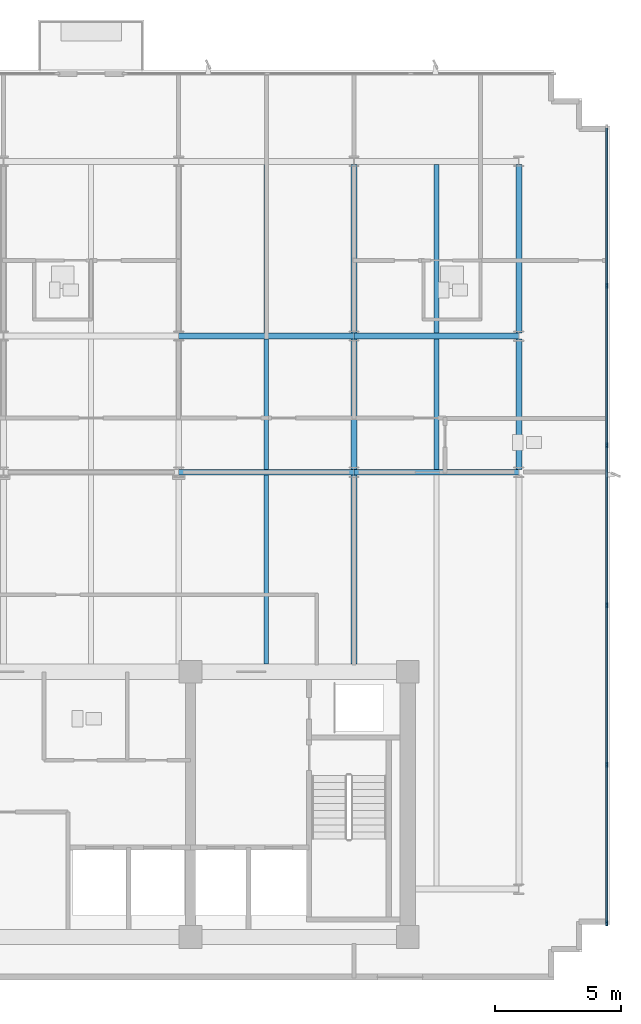
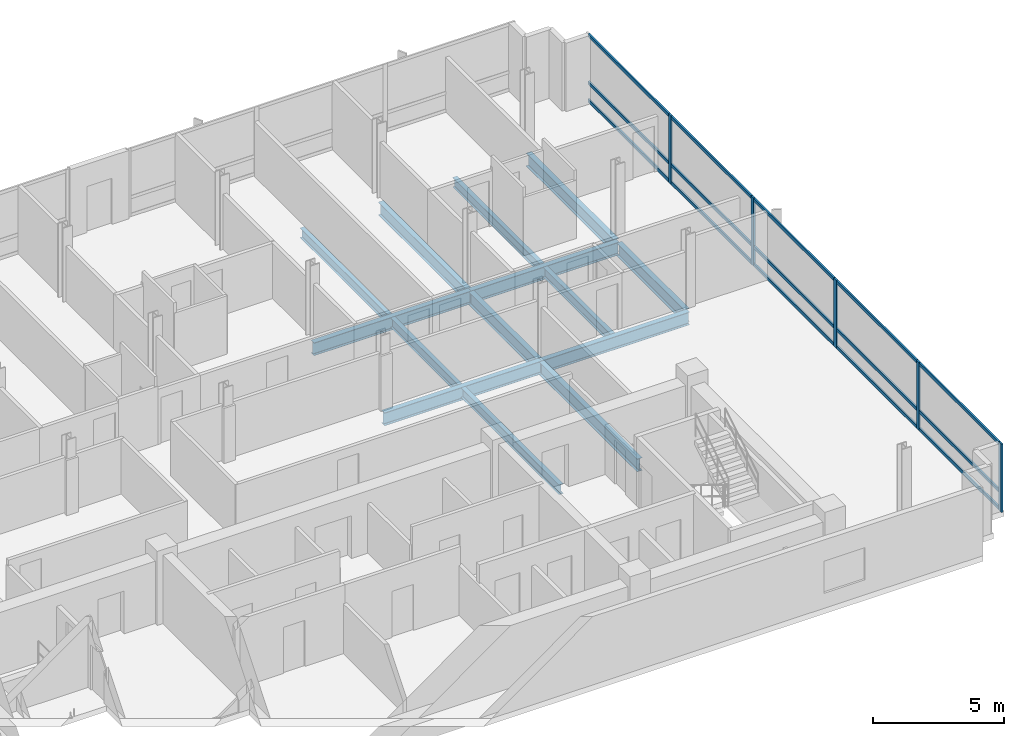
# One storey, part 4 of 15: 20 members, 14 beams, 1 element without a shape of its own.
"""IFC4 building model written with IfcOpenShell, lengths in metres."""

from ifc_helpers import new_model, si_unit, direction, frame, origin, origin_2d, place, context, subcontext, project, spatial, rectangle, i_section, extrude, material, material_profile, profile_set, type_object, element, aggregate, save


model = new_model("IFC4")

# Units and contexts
model_context = context("Model", 3, precision=1e-05, world=origin(), true_north=direction((0.0, 1.0)))
body_context = subcontext(model_context, "Body", "Model", "MODEL_VIEW")
ifc_project = project(units=[si_unit("LENGTHUNIT", "METRE"), si_unit("AREAUNIT", "SQUARE_METRE"), si_unit("VOLUMEUNIT", "CUBIC_METRE"), si_unit("PLANEANGLEUNIT", "RADIAN"), si_unit("MASSUNIT", "GRAM", prefix="KILO")], contexts=[model_context])

# Site, building, storey
site_placement = place(None, origin())
site = spatial("IfcSite", under=ifc_project, at=site_placement, CompositionType="ELEMENT")
building_placement = place(site_placement, origin())
building = spatial("IfcBuilding", under=site, at=building_placement, Name="Solmavex Isthmus Hotel", CompositionType="ELEMENT")
storey_placement = place(building_placement, frame((0.0, 0.0, 259.199951171875)))
storey = spatial("IfcBuildingStorey", under=building, at=storey_placement, Name="L70", CompositionType="ELEMENT", Elevation=259.199951171875)

# Beams
ifc_material_1 = material(Name="Steel ASTM A992 Grade 50", Category="steel")
ifc_material_profile_1 = material_profile(ifc_material_1, i_section(OverallWidth=0.1904296875, OverallDepth=0.456787109375, WebThickness=0.009033203125, FlangeThickness=0.014404296875, FilletRadius=0.0126953125, at=origin_2d()), Name="W18X50")
ifc_profile_set_1 = profile_set([ifc_material_profile_1], Name="Steel ASTM A992 Grade 50")
beam_type_1 = type_object("IfcBeamType", Name="BM-BJ-W18X50", PredefinedType="JOIST", material=ifc_profile_set_1)
beam_1_placement = place(storey_placement, frame((10.404052734375, -2.199951171875, -0.48828125), z_axis=(0.0, 1.0, 0.0), x_axis=(-1.0, 0.0, 0.0)))
element("IfcBeam", 1, at=beam_1_placement, inside=storey, type_object=beam_type_1, Name="Secondary Floor Joist L70-J13", PredefinedType="JOIST", context=body_context, shape_type="SweptSolid", body=[
    extrude(i_section(OverallWidth=0.1904296875, OverallDepth=0.456787109375, WebThickness=0.009033203125, FlangeThickness=0.014404296875, FilletRadius=0.0126953125, at=origin_2d()), origin(), (0.0, 0.0, 1.0), 7.486083984375),
])
beam_2_placement = place(storey_placement, frame((10.404052734375, 5.513916015625, -0.48828125), z_axis=(0.0, 1.0, 0.0), x_axis=(-1.0, 0.0, 0.0)))
element("IfcBeam", 2, at=beam_2_placement, inside=storey, type_object=beam_type_1, Name="Secondary Floor Joist L70-J14", PredefinedType="JOIST", context=body_context, shape_type="SweptSolid", body=[
    extrude(i_section(OverallWidth=0.1904296875, OverallDepth=0.456787109375, WebThickness=0.009033203125, FlangeThickness=0.014404296875, FilletRadius=0.0126953125, at=origin_2d()), origin(), (0.0, 0.0, 1.0), 5.16015625),
])
beam_3_placement = place(storey_placement, frame((10.404052734375, 10.90185546875, -0.48828125), z_axis=(0.0, 1.0, 0.0), x_axis=(-1.0, 0.0, 0.0)))
element("IfcBeam", 3, at=beam_3_placement, inside=storey, type_object=beam_type_1, Name="Secondary Floor Joist L70-J15", PredefinedType="JOIST", context=body_context, shape_type="SweptSolid", body=[
    extrude(i_section(OverallWidth=0.1904296875, OverallDepth=0.456787109375, WebThickness=0.009033203125, FlangeThickness=0.014404296875, FilletRadius=0.0126953125, at=origin_2d()), origin(), (0.0, 0.0, 1.0), 6.682861328125),
])
beam_4_placement = place(storey_placement, frame((17.135986328125, 5.513916015625, -0.48828125), z_axis=(0.0, 1.0, 0.0), x_axis=(-1.0, 0.0, 0.0)))
element("IfcBeam", 4, at=beam_4_placement, inside=storey, type_object=beam_type_1, Name="Secondary Floor Joist L70-J17", PredefinedType="JOIST", context=body_context, shape_type="SweptSolid", body=[
    extrude(i_section(OverallWidth=0.1904296875, OverallDepth=0.456787109375, WebThickness=0.009033203125, FlangeThickness=0.014404296875, FilletRadius=0.0126953125, at=origin_2d()), origin(), (0.0, 0.0, 1.0), 5.16015625),
])
beam_5_placement = place(storey_placement, frame((17.135986328125, 10.90185546875, -0.48828125), z_axis=(0.0, 1.0, 0.0), x_axis=(-1.0, 0.0, 0.0)))
element("IfcBeam", 5, at=beam_5_placement, inside=storey, type_object=beam_type_1, Name="Secondary Floor Joist L70-J18", PredefinedType="JOIST", context=body_context, shape_type="SweptSolid", body=[
    extrude(i_section(OverallWidth=0.1904296875, OverallDepth=0.456787109375, WebThickness=0.009033203125, FlangeThickness=0.014404296875, FilletRadius=0.0126953125, at=origin_2d()), origin(), (0.0, 0.0, 1.0), 6.682861328125),
])
ifc_material_profile_2 = material_profile(ifc_material_1, i_section(OverallWidth=0.227783203125, OverallDepth=0.602783203125, WebThickness=0.010498046875, FlangeThickness=0.014892578125, FilletRadius=0.01513671875, at=origin_2d()), Name="W24X68")
ifc_profile_set_2 = profile_set([ifc_material_profile_2], Name="Steel ASTM A992 Grade 50")
beam_type_2 = type_object("IfcBeamType", Name="BM-BM-W24X68", PredefinedType="BEAM", material=ifc_profile_set_2)
beam_6_placement = place(storey_placement, frame((6.93603515625, 5.39990234375, -0.561279296875), z_axis=(1.0, 0.0, 0.0), x_axis=(0.0, 1.0, 0.0)))
element("IfcBeam", 6, at=beam_6_placement, inside=storey, type_object=beam_type_2, Name="Floor Girder L70-UG07", PredefinedType="BEAM", context=body_context, shape_type="SweptSolid", body=[
    extrude(i_section(OverallWidth=0.227783203125, OverallDepth=0.602783203125, WebThickness=0.010498046875, FlangeThickness=0.014892578125, FilletRadius=0.01513671875, at=origin_2d()), origin(), (0.0, 0.0, 1.0), 6.93603515625),
])
beam_7_placement = place(storey_placement, frame((13.8720703125, 5.39990234375, -0.561279296875), z_axis=(1.0, 0.0, 0.0), x_axis=(0.0, 1.0, 0.0)))
element("IfcBeam", 7, at=beam_7_placement, inside=storey, type_object=beam_type_2, Name="Floor Girder L70-UG08", PredefinedType="BEAM", context=body_context, shape_type="SweptSolid", body=[
    extrude(i_section(OverallWidth=0.227783203125, OverallDepth=0.602783203125, WebThickness=0.010498046875, FlangeThickness=0.014892578125, FilletRadius=0.01513671875, at=origin_2d()), origin(), (0.0, 0.0, 1.0), 6.52783203125),
])
beam_8_placement = place(storey_placement, frame((6.93603515625, 10.7880859375, -0.561279296875), z_axis=(1.0, 0.0, 0.0), x_axis=(0.0, 1.0, 0.0)))
element("IfcBeam", 8, at=beam_8_placement, inside=storey, type_object=beam_type_2, Name="Floor Girder L70-UG13", PredefinedType="BEAM", context=body_context, shape_type="SweptSolid", body=[
    extrude(i_section(OverallWidth=0.227783203125, OverallDepth=0.602783203125, WebThickness=0.010498046875, FlangeThickness=0.014892578125, FilletRadius=0.01513671875, at=origin_2d()), origin(), (0.0, 0.0, 1.0), 6.93603515625),
])
beam_9_placement = place(storey_placement, frame((13.8720703125, 10.7880859375, -0.561279296875), z_axis=(1.0, 0.0, 0.0), x_axis=(0.0, 1.0, 0.0)))
element("IfcBeam", 9, at=beam_9_placement, inside=storey, type_object=beam_type_2, Name="Floor Girder L70-UG14", PredefinedType="BEAM", context=body_context, shape_type="SweptSolid", body=[
    extrude(i_section(OverallWidth=0.227783203125, OverallDepth=0.602783203125, WebThickness=0.010498046875, FlangeThickness=0.014892578125, FilletRadius=0.01513671875, at=origin_2d()), origin(), (0.0, 0.0, 1.0), 6.52783203125),
])
beam_10_placement = place(storey_placement, frame((13.8720703125, -2.199951171875, -0.561279296875), z_axis=(0.0, 1.0, 0.0), x_axis=(-1.0, 0.0, 0.0)))
element("IfcBeam", 10, at=beam_10_placement, inside=storey, type_object=beam_type_2, Name="Floor Beam L70-VG36", PredefinedType="BEAM", context=body_context, shape_type="SweptSolid", body=[
    extrude(i_section(OverallWidth=0.227783203125, OverallDepth=0.602783203125, WebThickness=0.010498046875, FlangeThickness=0.014892578125, FilletRadius=0.01513671875, at=origin_2d()), origin(), (0.0, 0.0, 1.0), 7.486083984375),
])
beam_11_placement = place(storey_placement, frame((13.8720703125, 5.513916015625, -0.561279296875), z_axis=(0.0, 1.0, 0.0), x_axis=(-1.0, 0.0, 0.0)))
element("IfcBeam", 11, at=beam_11_placement, inside=storey, type_object=beam_type_2, Name="Floor Beam L70-VG37", PredefinedType="BEAM", context=body_context, shape_type="SweptSolid", body=[
    extrude(i_section(OverallWidth=0.227783203125, OverallDepth=0.602783203125, WebThickness=0.010498046875, FlangeThickness=0.014892578125, FilletRadius=0.01513671875, at=origin_2d()), origin(), (0.0, 0.0, 1.0), 5.16015625),
])
beam_12_placement = place(storey_placement, frame((13.8720703125, 10.90185546875, -0.561279296875), z_axis=(0.0, 1.0, 0.0), x_axis=(-1.0, 0.0, 0.0)))
element("IfcBeam", 12, at=beam_12_placement, inside=storey, type_object=beam_type_2, Name="Floor Beam L70-VG38", PredefinedType="BEAM", context=body_context, shape_type="SweptSolid", body=[
    extrude(i_section(OverallWidth=0.227783203125, OverallDepth=0.602783203125, WebThickness=0.010498046875, FlangeThickness=0.014892578125, FilletRadius=0.01513671875, at=origin_2d()), origin(), (0.0, 0.0, 1.0), 6.682861328125),
])
ifc_material_profile_3 = material_profile(ifc_material_1, i_section(OverallWidth=0.230224609375, OverallDepth=0.617431640625, WebThickness=0.01318359375, FlangeThickness=0.022216796875, FilletRadius=0.01513671875, at=origin_2d()), Name="W24X94")
ifc_profile_set_3 = profile_set([ifc_material_profile_3], Name="Steel ASTM A992 Grade 50")
beam_type_3 = type_object("IfcBeamType", Name="BM-SP-W24X94", PredefinedType="SPANDREL", material=ifc_profile_set_3)
beam_13_placement = place(storey_placement, frame((20.39990234375, 5.513916015625, -0.568603515625), z_axis=(0.0, 1.0, 0.0), x_axis=(-1.0, 0.0, 0.0)))
element("IfcBeam", 13, at=beam_13_placement, inside=storey, type_object=beam_type_3, Name="Floor Beam L70-VG40", PredefinedType="SPANDREL", context=body_context, shape_type="SweptSolid", body=[
    extrude(i_section(OverallWidth=0.230224609375, OverallDepth=0.617431640625, WebThickness=0.01318359375, FlangeThickness=0.022216796875, FilletRadius=0.01513671875, at=origin_2d()), origin(), (0.0, 0.0, 1.0), 5.16015625),
])
beam_14_placement = place(storey_placement, frame((20.39990234375, 10.90185546875, -0.568603515625), z_axis=(0.0, 1.0, 0.0), x_axis=(-1.0, 0.0, 0.0)))
element("IfcBeam", 14, at=beam_14_placement, inside=storey, type_object=beam_type_3, Name="Floor Beam L70-VG41", PredefinedType="SPANDREL", context=body_context, shape_type="SweptSolid", body=[
    extrude(i_section(OverallWidth=0.230224609375, OverallDepth=0.617431640625, WebThickness=0.01318359375, FlangeThickness=0.022216796875, FilletRadius=0.01513671875, at=origin_2d()), origin(), (0.0, 0.0, 1.0), 6.682861328125),
])

# Curtain wall, members
ifc_material_2 = material(Name="Aluminium alloy 6063-T6", Category="aluminium")
curtain_wall_type = type_object("IfcCurtainWallType", Name="CW-SYS-04", PredefinedType="NOTDEFINED", material=ifc_material_2)
curtain_wall_placement = place(storey_placement, origin())
curtain_wall = element("IfcCurtainWall", 15, at=curtain_wall_placement, inside=storey, type_object=curtain_wall_type, Name="Stick Curtain Wall CWL-L70-E1", PredefinedType="NOTDEFINED")
ifc_material_profile_4 = material_profile(ifc_material_2, rectangle(XDim=0.074951171875, YDim=0.199951171875, at=origin_2d()), Name="CWM-75X200")
ifc_profile_set_4 = profile_set([ifc_material_profile_4], Name="Aluminium alloy 6063-T6")
member_type_1 = type_object("IfcMemberType", Name="CW-SYS-04-MUL", PredefinedType="MULLION", material=ifc_profile_set_4)
member_1_placement = place(storey_placement, frame((23.8798828125, -12.46240234375, 0.0), z_axis=(0.0, 0.0, 1.0), x_axis=(-1.0, 0.0, 0.0)))
member_1 = element("IfcMember", 16, at=member_1_placement, type_object=member_type_1, Name="CW-04 mullion 1", PredefinedType="MULLION", context=body_context, shape_type="SweptSolid", body=[
    extrude(rectangle(XDim=0.074951171875, YDim=0.199951171875, at=origin_2d()), origin(), (0.0, 0.0, 1.0), 3.18994140625),
])
member_2_placement = place(storey_placement, frame((23.8798828125, -6.179931640625, 0.0), z_axis=(0.0, 0.0, 1.0), x_axis=(-1.0, 0.0, 0.0)))
member_2 = element("IfcMember", 17, at=member_2_placement, type_object=member_type_1, Name="CW-04 mullion 2", PredefinedType="MULLION", context=body_context, shape_type="SweptSolid", body=[
    extrude(rectangle(XDim=0.074951171875, YDim=0.199951171875, at=origin_2d()), origin(), (0.0, 0.0, 1.0), 3.18994140625),
])
member_3_placement = place(storey_placement, frame((23.8798828125, 0.139892578125, 0.0), z_axis=(0.0, 0.0, 1.0), x_axis=(-1.0, 0.0, 0.0)))
member_3 = element("IfcMember", 18, at=member_3_placement, type_object=member_type_1, Name="CW-04 mullion 3", PredefinedType="MULLION", context=body_context, shape_type="SweptSolid", body=[
    extrude(rectangle(XDim=0.074951171875, YDim=0.199951171875, at=origin_2d()), origin(), (0.0, 0.0, 1.0), 3.18994140625),
])
member_4_placement = place(storey_placement, frame((23.8798828125, 6.4599609375, 0.0), z_axis=(0.0, 0.0, 1.0), x_axis=(-1.0, 0.0, 0.0)))
member_4 = element("IfcMember", 19, at=member_4_placement, type_object=member_type_1, Name="CW-04 mullion 4", PredefinedType="MULLION", context=body_context, shape_type="SweptSolid", body=[
    extrude(rectangle(XDim=0.074951171875, YDim=0.199951171875, at=origin_2d()), origin(), (0.0, 0.0, 1.0), 3.18994140625),
])
member_5_placement = place(storey_placement, frame((23.8798828125, 12.780029296875, 0.0), z_axis=(0.0, 0.0, 1.0), x_axis=(-1.0, 0.0, 0.0)))
member_5 = element("IfcMember", 20, at=member_5_placement, type_object=member_type_1, Name="CW-04 mullion 5", PredefinedType="MULLION", context=body_context, shape_type="SweptSolid", body=[
    extrude(rectangle(XDim=0.074951171875, YDim=0.199951171875, at=origin_2d()), origin(), (0.0, 0.0, 1.0), 3.18994140625),
])
ifc_material_profile_5 = material_profile(ifc_material_2, rectangle(XDim=0.074951171875, YDim=0.14990234375, at=origin_2d()), Name="CWT-75X150")
ifc_profile_set_5 = profile_set([ifc_material_profile_5], Name="Aluminium alloy 6063-T6")
member_type_2 = type_object("IfcMemberType", Name="CW-SYS-04-TRN", PredefinedType="USERDEFINED", material=ifc_profile_set_5)
member_6_placement = place(storey_placement, frame((23.8798828125, -12.425048828125, 0.074951171875), z_axis=(0.0, 1.0, 0.0), x_axis=(-1.0, 0.0, 0.0)))
member_6 = element("IfcMember", 21, at=member_6_placement, type_object=member_type_2, Name="CW-04 transom 1.1", ObjectType="TRANSOM", PredefinedType="USERDEFINED", context=body_context, shape_type="SweptSolid", body=[
    extrude(rectangle(XDim=0.074951171875, YDim=0.14990234375, at=origin_2d()), origin(), (0.0, 0.0, 1.0), 6.20751953125),
])
member_7_placement = place(storey_placement, frame((23.8798828125, -12.425048828125, 0.900146484375), z_axis=(0.0, 1.0, 0.0), x_axis=(-1.0, 0.0, 0.0)))
member_7 = element("IfcMember", 22, at=member_7_placement, type_object=member_type_2, Name="CW-04 transom 1.2", ObjectType="TRANSOM", PredefinedType="USERDEFINED", context=body_context, shape_type="SweptSolid", body=[
    extrude(rectangle(XDim=0.074951171875, YDim=0.14990234375, at=origin_2d()), origin(), (0.0, 0.0, 1.0), 6.20751953125),
])
member_8_placement = place(storey_placement, frame((23.8798828125, -12.425048828125, 3.114990234375), z_axis=(0.0, 1.0, 0.0), x_axis=(-1.0, 0.0, 0.0)))
member_8 = element("IfcMember", 23, at=member_8_placement, type_object=member_type_2, Name="CW-04 transom 1.3", ObjectType="TRANSOM", PredefinedType="USERDEFINED", context=body_context, shape_type="SweptSolid", body=[
    extrude(rectangle(XDim=0.074951171875, YDim=0.14990234375, at=origin_2d()), origin(), (0.0, 0.0, 1.0), 6.20751953125),
])
member_9_placement = place(storey_placement, frame((23.8798828125, -6.142578125, 0.074951171875), z_axis=(0.0, 1.0, 0.0), x_axis=(-1.0, 0.0, 0.0)))
member_9 = element("IfcMember", 24, at=member_9_placement, type_object=member_type_2, Name="CW-04 transom 2.1", ObjectType="TRANSOM", PredefinedType="USERDEFINED", context=body_context, shape_type="SweptSolid", body=[
    extrude(rectangle(XDim=0.074951171875, YDim=0.14990234375, at=origin_2d()), origin(), (0.0, 0.0, 1.0), 6.2451171875),
])
member_10_placement = place(storey_placement, frame((23.8798828125, -6.142578125, 0.900146484375), z_axis=(0.0, 1.0, 0.0), x_axis=(-1.0, 0.0, 0.0)))
member_10 = element("IfcMember", 25, at=member_10_placement, type_object=member_type_2, Name="CW-04 transom 2.2", ObjectType="TRANSOM", PredefinedType="USERDEFINED", context=body_context, shape_type="SweptSolid", body=[
    extrude(rectangle(XDim=0.074951171875, YDim=0.14990234375, at=origin_2d()), origin(), (0.0, 0.0, 1.0), 6.2451171875),
])
member_11_placement = place(storey_placement, frame((23.8798828125, -6.142578125, 3.114990234375), z_axis=(0.0, 1.0, 0.0), x_axis=(-1.0, 0.0, 0.0)))
member_11 = element("IfcMember", 26, at=member_11_placement, type_object=member_type_2, Name="CW-04 transom 2.3", ObjectType="TRANSOM", PredefinedType="USERDEFINED", context=body_context, shape_type="SweptSolid", body=[
    extrude(rectangle(XDim=0.074951171875, YDim=0.14990234375, at=origin_2d()), origin(), (0.0, 0.0, 1.0), 6.2451171875),
])
member_12_placement = place(storey_placement, frame((23.8798828125, 0.177490234375, 0.074951171875), z_axis=(0.0, 1.0, 0.0), x_axis=(-1.0, 0.0, 0.0)))
member_12 = element("IfcMember", 27, at=member_12_placement, type_object=member_type_2, Name="CW-04 transom 3.1", ObjectType="TRANSOM", PredefinedType="USERDEFINED", context=body_context, shape_type="SweptSolid", body=[
    extrude(rectangle(XDim=0.074951171875, YDim=0.14990234375, at=origin_2d()), origin(), (0.0, 0.0, 1.0), 6.2451171875),
])
member_13_placement = place(storey_placement, frame((23.8798828125, 0.177490234375, 0.900146484375), z_axis=(0.0, 1.0, 0.0), x_axis=(-1.0, 0.0, 0.0)))
member_13 = element("IfcMember", 28, at=member_13_placement, type_object=member_type_2, Name="CW-04 transom 3.2", ObjectType="TRANSOM", PredefinedType="USERDEFINED", context=body_context, shape_type="SweptSolid", body=[
    extrude(rectangle(XDim=0.074951171875, YDim=0.14990234375, at=origin_2d()), origin(), (0.0, 0.0, 1.0), 6.2451171875),
])
member_14_placement = place(storey_placement, frame((23.8798828125, 0.177490234375, 3.114990234375), z_axis=(0.0, 1.0, 0.0), x_axis=(-1.0, 0.0, 0.0)))
member_14 = element("IfcMember", 29, at=member_14_placement, type_object=member_type_2, Name="CW-04 transom 3.3", ObjectType="TRANSOM", PredefinedType="USERDEFINED", context=body_context, shape_type="SweptSolid", body=[
    extrude(rectangle(XDim=0.074951171875, YDim=0.14990234375, at=origin_2d()), origin(), (0.0, 0.0, 1.0), 6.2451171875),
])
member_15_placement = place(storey_placement, frame((23.8798828125, 6.49755859375, 0.074951171875), z_axis=(0.0, 1.0, 0.0), x_axis=(-1.0, 0.0, 0.0)))
member_15 = element("IfcMember", 30, at=member_15_placement, type_object=member_type_2, Name="CW-04 transom 4.1", ObjectType="TRANSOM", PredefinedType="USERDEFINED", context=body_context, shape_type="SweptSolid", body=[
    extrude(rectangle(XDim=0.074951171875, YDim=0.14990234375, at=origin_2d()), origin(), (0.0, 0.0, 1.0), 6.244873046875),
])
member_16_placement = place(storey_placement, frame((23.8798828125, 6.49755859375, 0.900146484375), z_axis=(0.0, 1.0, 0.0), x_axis=(-1.0, 0.0, 0.0)))
member_16 = element("IfcMember", 31, at=member_16_placement, type_object=member_type_2, Name="CW-04 transom 4.2", ObjectType="TRANSOM", PredefinedType="USERDEFINED", context=body_context, shape_type="SweptSolid", body=[
    extrude(rectangle(XDim=0.074951171875, YDim=0.14990234375, at=origin_2d()), origin(), (0.0, 0.0, 1.0), 6.244873046875),
])
member_17_placement = place(storey_placement, frame((23.8798828125, 6.49755859375, 3.114990234375), z_axis=(0.0, 1.0, 0.0), x_axis=(-1.0, 0.0, 0.0)))
member_17 = element("IfcMember", 32, at=member_17_placement, type_object=member_type_2, Name="CW-04 transom 4.3", ObjectType="TRANSOM", PredefinedType="USERDEFINED", context=body_context, shape_type="SweptSolid", body=[
    extrude(rectangle(XDim=0.074951171875, YDim=0.14990234375, at=origin_2d()), origin(), (0.0, 0.0, 1.0), 6.244873046875),
])
member_18_placement = place(storey_placement, frame((23.8798828125, 12.8173828125, 0.074951171875), z_axis=(0.0, 1.0, 0.0), x_axis=(-1.0, 0.0, 0.0)))
member_18 = element("IfcMember", 33, at=member_18_placement, type_object=member_type_2, Name="CW-04 transom 5.1", ObjectType="TRANSOM", PredefinedType="USERDEFINED", context=body_context, shape_type="SweptSolid", body=[
    extrude(rectangle(XDim=0.074951171875, YDim=0.14990234375, at=origin_2d()), origin(), (0.0, 0.0, 1.0), 6.20751953125),
])
member_19_placement = place(storey_placement, frame((23.8798828125, 12.8173828125, 0.900146484375), z_axis=(0.0, 1.0, 0.0), x_axis=(-1.0, 0.0, 0.0)))
member_19 = element("IfcMember", 34, at=member_19_placement, type_object=member_type_2, Name="CW-04 transom 5.2", ObjectType="TRANSOM", PredefinedType="USERDEFINED", context=body_context, shape_type="SweptSolid", body=[
    extrude(rectangle(XDim=0.074951171875, YDim=0.14990234375, at=origin_2d()), origin(), (0.0, 0.0, 1.0), 6.20751953125),
])
member_20_placement = place(storey_placement, frame((23.8798828125, 12.8173828125, 3.114990234375), z_axis=(0.0, 1.0, 0.0), x_axis=(-1.0, 0.0, 0.0)))
member_20 = element("IfcMember", 35, at=member_20_placement, type_object=member_type_2, Name="CW-04 transom 5.3", ObjectType="TRANSOM", PredefinedType="USERDEFINED", context=body_context, shape_type="SweptSolid", body=[
    extrude(rectangle(XDim=0.074951171875, YDim=0.14990234375, at=origin_2d()), origin(), (0.0, 0.0, 1.0), 6.20751953125),
])
aggregate(curtain_wall, [member_1, member_2, member_3, member_4, member_5, member_6, member_7, member_8, member_9, member_10, member_11, member_12, member_13, member_14, member_15, member_16, member_17, member_18, member_19, member_20])

save(model, "model.ifc")
